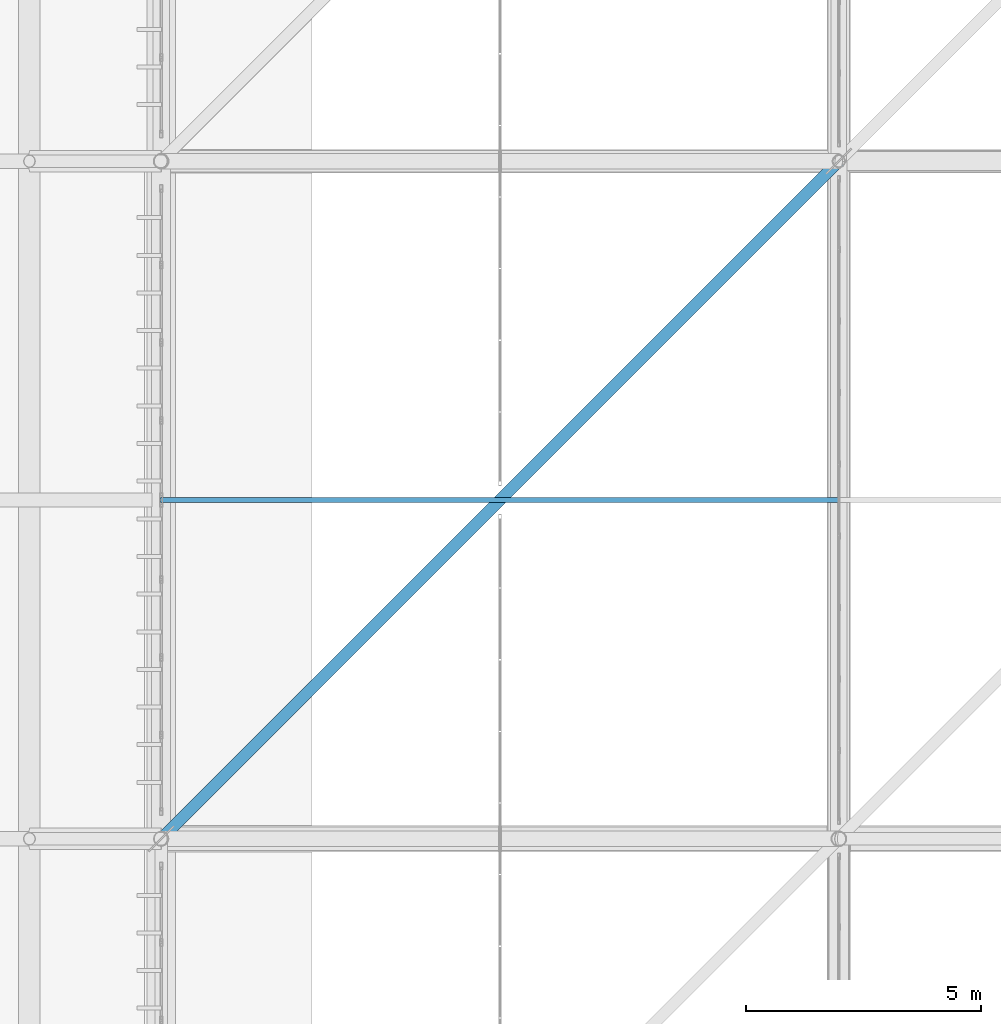
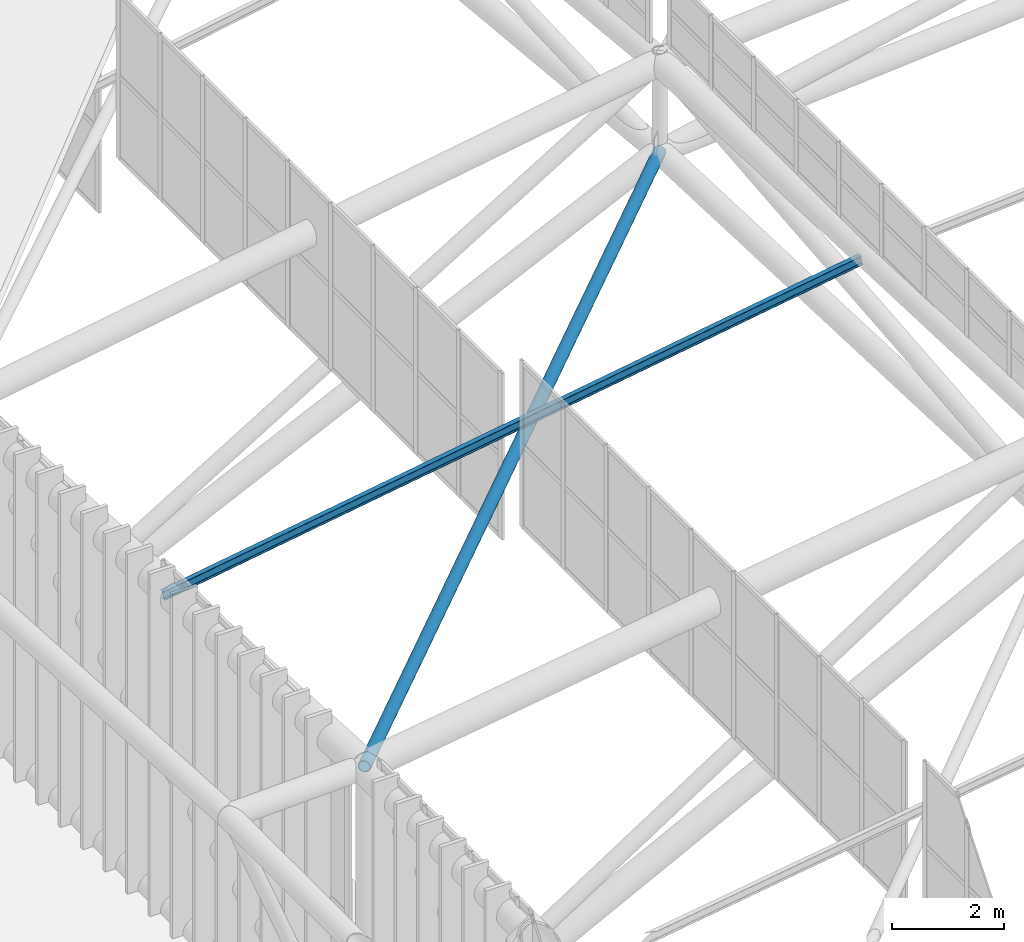
# One storey, part 186 of 397: 2 members.
"""IFC4 building model written with IfcOpenShell, lengths in metres."""

import ifcopenshell
import ifcopenshell.guid

model = None  # the IFC model being written
_history = None  # IfcOwnerHistory: only IFC2X3 demands one
_inside = {}  # id of a spatial element -> (the spatial element, [elements in it])
_under = {}  # id of a project, library or spatial element -> (it, [spatial elements below it])
_declared = {}  # id of a project -> (the project, [libraries it declares])
_typed = {}  # id of a type object -> (the type object, [elements of that type])
_made_of = {}  # id of a material, layer set ... -> (it, [elements and type objects made of it])


def new_model(schema):
    """Start an empty IFC model of exactly this schema.

    Asked for "IFC4X3", IfcOpenShell would pick the latest addendum, in which some entities
    have other attributes; the version numbers below select the first issue.
    IFC2X3 requires an IfcOwnerHistory on every rooted entity: one is made here for all.
    """
    global model, _history
    if schema == "IFC4X3":
        model = ifcopenshell.file(schema_version=(4, 3, 0, 0))
    else:
        model = ifcopenshell.file(schema=schema)
    _inside.clear()
    _under.clear()
    _declared.clear()
    _typed.clear()
    _made_of.clear()
    _history = None
    if model.schema == "IFC2X3":
        org = make("IfcOrganization", Name="unknown")
        user = make(
            "IfcPersonAndOrganization",
            ThePerson=make("IfcPerson", FamilyName="unknown"),
            TheOrganization=org,
        )
        app = make(
            "IfcApplication",
            ApplicationDeveloper=org,
            Version="unknown",
            ApplicationFullName="unknown",
            ApplicationIdentifier="unknown",
        )
        _history = make(
            "IfcOwnerHistory",
            OwningUser=user,
            OwningApplication=app,
            ChangeAction="ADDED",
            CreationDate=0,
        )
    return model


def make(cls, **values):
    """One entity of the class cls with the attributes given. An attribute that is None is left unset."""
    return model.create_entity(
        cls, **{name: value for name, value in values.items() if value is not None}
    )


def rooted(cls, **values):
    """An entity with a GlobalId (a new one), such as an element, a storey or a relation."""
    return make(cls, GlobalId=ifcopenshell.guid.new(), OwnerHistory=_history, **values)


def si_unit(unit_type, name, prefix=None):
    """IfcSIUnit, for example si_unit("LENGTHUNIT", "METRE", prefix="MILLI")."""
    return make("IfcSIUnit", UnitType=unit_type, Prefix=prefix, Name=name)


def assignment(units):
    """IfcUnitAssignment: the units of a project."""
    return None if units is None else make("IfcUnitAssignment", Units=units)


def point(xyz):
    """IfcCartesianPoint."""
    return None if xyz is None else make("IfcCartesianPoint", Coordinates=xyz)


def direction(xyz):
    """IfcDirection."""
    return None if xyz is None else make("IfcDirection", DirectionRatios=xyz)


def frame(location, z_axis=None, x_axis=None):
    """IfcAxis2Placement3D, a coordinate frame: its origin and axes. An axis left out is left unset."""
    return make(
        "IfcAxis2Placement3D",
        Location=point(location),
        Axis=direction(z_axis),
        RefDirection=direction(x_axis),
    )


def frame_2d(location, x_axis=None):
    """IfcAxis2Placement2D, a coordinate frame in the plane: its origin and x axis."""
    return make(
        "IfcAxis2Placement2D", Location=point(location), RefDirection=direction(x_axis)
    )


def origin():
    """The frame at (0, 0, 0) with its axes left unset."""
    return frame((0.0, 0.0, 0.0))


def origin_2d():
    """The frame at (0, 0) in the plane with its x axis left unset."""
    return frame_2d((0.0, 0.0))


def place(relative_to, where):
    """IfcLocalPlacement: puts the frame where relative to a parent placement (None: the world)."""
    return make(
        "IfcLocalPlacement", PlacementRelTo=relative_to, RelativePlacement=where
    )


def context(
    kind, dimensions, precision=None, world=None, true_north=None, identifier=None
):
    """IfcGeometricRepresentationContext, for example the 3D "Model" context."""
    return make(
        "IfcGeometricRepresentationContext",
        ContextIdentifier=identifier,
        ContextType=kind,
        CoordinateSpaceDimension=dimensions,
        Precision=precision,
        WorldCoordinateSystem=world,
        TrueNorth=true_north,
    )


def subcontext(parent, identifier, kind, view, scale=None):
    """IfcGeometricRepresentationSubContext, for example "Body" below "Model"."""
    return make(
        "IfcGeometricRepresentationSubContext",
        ContextIdentifier=identifier,
        ContextType=kind,
        ParentContext=parent,
        TargetScale=scale,
        TargetView=view,
    )


def project(units=None, contexts=None):
    """IfcProject with its units and contexts."""
    return rooted(
        "IfcProject",
        Name="project",
        RepresentationContexts=contexts,
        UnitsInContext=assignment(units),
    )


def spatial(cls, under=None, at=None, **own):
    """A site, building, storey or space (cls), placed at a placement, below another one or the project."""
    s = rooted(cls, ObjectPlacement=at, **own)
    if under is not None:
        _under.setdefault(under.id(), (under, []))[1].append(s)
    return s


def profile(cls, at=None, kind="AREA", **sizes):
    """A parametric profile (cls). Its sizes go by their IFC names, for example OverallWidth=200.0."""
    return make(cls, ProfileType=kind, Position=at, **sizes)


def hollow_circle(**sizes):
    """IfcCircleHollowProfileDef."""
    return profile("IfcCircleHollowProfileDef", **sizes)


def i_section(**sizes):
    """IfcIShapeProfileDef."""
    return profile("IfcIShapeProfileDef", **sizes)


def extrude(swept, where, along, depth):
    """IfcExtrudedAreaSolid: the profile swept, set in the frame where, extruded along a direction by depth."""
    return make(
        "IfcExtrudedAreaSolid",
        SweptArea=swept,
        Position=where,
        ExtrudedDirection=direction(along),
        Depth=depth,
    )


def shape(context_of_items, identifier, shape_type, items):
    """IfcShapeRepresentation: the items that make up one representation, for example the "Body"."""
    return make(
        "IfcShapeRepresentation",
        ContextOfItems=context_of_items,
        RepresentationIdentifier=identifier,
        RepresentationType=shape_type,
        Items=items,
    )


def material(Name=None, Category=None):
    """IfcMaterial."""
    return make("IfcMaterial", Name=Name, Category=Category)


def material_profile(
    of_material, cross_section, Name=None, Category=None, Priority=None
):
    """IfcMaterialProfile: a cross section and its material."""
    return make(
        "IfcMaterialProfile",
        Name=Name,
        Material=of_material,
        Profile=cross_section,
        Priority=Priority,
        Category=Category,
    )


def profile_set(profiles, Name=None, composite=None):
    """IfcMaterialProfileSet."""
    return make(
        "IfcMaterialProfileSet",
        Name=Name,
        MaterialProfiles=profiles,
        CompositeProfile=composite,
    )


def made_of(thing, what):
    """Note that an element or type object is made of a material, layer set ...; save() writes the relation."""
    if what is not None:
        _made_of.setdefault(what.id(), (what, []))[1].append(thing)
    return thing


def type_object(cls, material=None, **own):
    """A type object (cls), such as IfcWallType, which elements share."""
    return made_of(rooted(cls, **own), material)


def element(
    cls,
    number,
    at=None,
    inside=None,
    cuts=None,
    type_object=None,
    material=None,
    context=None,
    identifier="Body",
    shape_type=None,
    held_by="IfcProductDefinitionShape",
    body=None,
    shapes=None,
    **own,
):
    """One element of the class cls, such as IfcWall. Its Tag is "e" and its number.

    at: its placement. inside: the storey or other place that contains it. cuts: it is an
    opening in that element (IfcRelVoidsElement). A single representation is given by context,
    identifier, shape_type and body (its items); several are given by shapes. held_by: the class
    of the entity that holds the representations. save() writes the other relations.
    """
    e = rooted(cls, Tag="e%d" % number, ObjectPlacement=at, **own)
    if body is not None:
        shapes = [shape(context, identifier, shape_type, body)]
    if shapes is not None:
        e.Representation = make(held_by, Representations=shapes)
    if inside is not None:
        _inside.setdefault(inside.id(), (inside, []))[1].append(e)
    if cuts is not None:
        rooted(
            "IfcRelVoidsElement", RelatingBuildingElement=cuts, RelatedOpeningElement=e
        )
    if type_object is not None:
        _typed.setdefault(type_object.id(), (type_object, []))[1].append(e)
    return made_of(e, material)


def aggregate(whole, parts):
    """IfcRelAggregates: a whole, such as a stair, and the parts it consists of."""
    return rooted("IfcRelAggregates", RelatingObject=whole, RelatedObjects=parts)


def save(model, path):
    """Write the relations noted so far, then the file.

    IfcRelAggregates (storeys below a building ...), IfcRelContainedInSpatialStructure (elements
    in a storey), IfcRelDefinesByType, IfcRelAssociatesMaterial and IfcRelDeclares: one each for
    every whole, place, type object, material and project.
    """
    for whole, parts in _under.values():
        aggregate(whole, parts)
    for where, things in _inside.values():
        rooted(
            "IfcRelContainedInSpatialStructure",
            RelatedElements=things,
            RelatingStructure=where,
        )
    for kind, things in _typed.values():
        rooted("IfcRelDefinesByType", RelatedObjects=things, RelatingType=kind)
    for what, things in _made_of.values():
        rooted("IfcRelAssociatesMaterial", RelatedObjects=things, RelatingMaterial=what)
    for by, libraries in _declared.values():
        rooted("IfcRelDeclares", RelatingContext=by, RelatedDefinitions=libraries)
    model.write(path)


model = new_model("IFC4")

# Units and contexts
model_context = context("Model", 3, precision=1e-05, world=origin(), true_north=direction((0.0, 1.0)))
body_context = subcontext(model_context, "Body", "Model", "MODEL_VIEW")
ifc_project = project(units=[si_unit("LENGTHUNIT", "METRE"), si_unit("AREAUNIT", "SQUARE_METRE"), si_unit("VOLUMEUNIT", "CUBIC_METRE"), si_unit("PLANEANGLEUNIT", "RADIAN"), si_unit("MASSUNIT", "GRAM", prefix="KILO")], contexts=[model_context])

# Site, building, storey
site_placement = place(None, origin())
site = spatial("IfcSite", under=ifc_project, at=site_placement, CompositionType="ELEMENT")
building_placement = place(site_placement, origin())
building = spatial("IfcBuilding", under=site, at=building_placement, Name="Qandorah Velis Arena", CompositionType="ELEMENT")
storey_placement = place(building_placement, frame((0.0, 0.0, 27.5)))
storey = spatial("IfcBuildingStorey", under=building, at=storey_placement, Name="RF", CompositionType="ELEMENT", Elevation=27.5)

# Members
ifc_material = material(Name="Steel S355", Category="steel")
ifc_material_profile_1 = material_profile(ifc_material, i_section(OverallWidth=0.10009765625, OverallDepth=0.199951171875, WebThickness=0.005615234375, FlangeThickness=0.008544921875, FilletRadius=0.011962890625, at=origin_2d()), Name="IPE 200")
ifc_profile_set_1 = profile_set([ifc_material_profile_1], Name="Steel S355")
member_type_1 = type_object("IfcMemberType", Name="STR-PRL-IPE200", PredefinedType="PURLIN", material=ifc_profile_set_1)
member_1_placement = place(storey_placement, frame((14.39990234375, 79.199951171875, 6.639404296875), z_axis=(0.98763392352, 0.0, 0.156777655018), x_axis=(0.0, 1.0, 0.0)))
element("IfcMember", 1, at=member_1_placement, inside=storey, type_object=member_type_1, Name="Arena roof purlin PRL-0.4", PredefinedType="PURLIN", context=body_context, shape_type="SweptSolid", body=[
    extrude(i_section(OverallWidth=0.10009765625, OverallDepth=0.199951171875, WebThickness=0.005615234375, FlangeThickness=0.008544921875, FilletRadius=0.011962890625, at=origin_2d()), origin(), (0.0, 0.0, 1.0), 14.58056640625),
])
ifc_material_profile_2 = material_profile(ifc_material, hollow_circle(Radius=0.122314453125, WallThickness=0.012451171875, at=origin_2d()), Name="CHS 244.5x12.5")
ifc_profile_set_2 = profile_set([ifc_material_profile_2], Name="Steel S355")
member_type_2 = type_object("IfcMemberType", Name="STR-SFD-CHS244X12", PredefinedType="STRUT", material=ifc_profile_set_2)
member_2_placement = place(storey_placement, frame((28.800048828125, 86.39990234375, 6.90771484375), z_axis=(-0.707000595069, -0.706988608554, 0.017811960807), x_axis=(0.707100786953, -0.707112775369, 0.0)))
element("IfcMember", 2, at=member_2_placement, inside=storey, type_object=member_type_2, Name="Space frame roof spatial diagonal 0.4", PredefinedType="STRUT", context=body_context, shape_type="SweptSolid", body=[
    extrude(hollow_circle(Radius=0.122314453125, WallThickness=0.012451171875, at=origin_2d()), origin(), (0.0, 0.0, 1.0), 20.367919921875),
])

save(model, "model.ifc")
